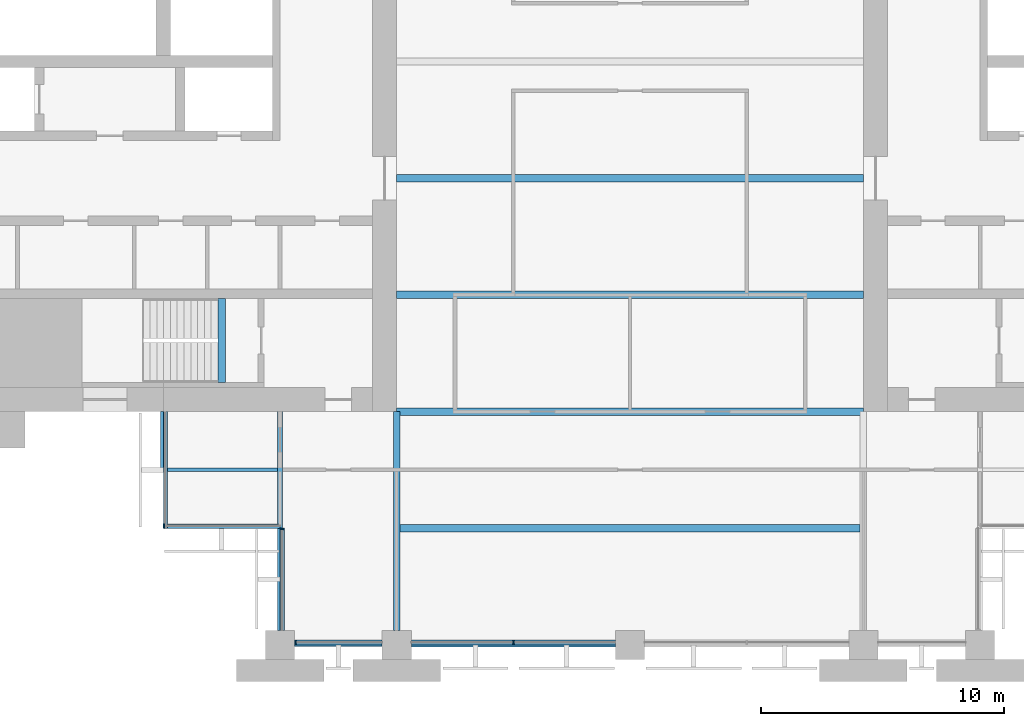
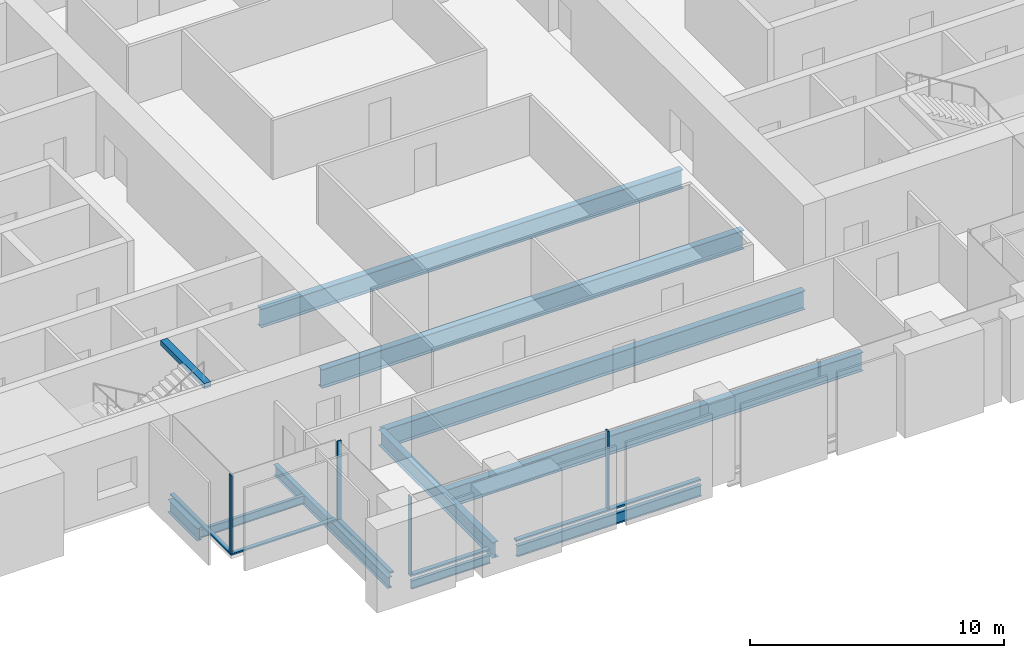
# One storey, part 2 of 14: 11 beams, 9 members, 4 elements without a shape of their own.
"""IFC4 building model written with IfcOpenShell, lengths in metres."""

from ifc_helpers import new_model, si_unit, direction, frame, origin, origin_2d, place, context, subcontext, project, spatial, rectangle, i_section, extrude, material, material_profile, profile_set, type_object, element, aggregate, save


model = new_model("IFC4")

# Units and contexts
model_context = context("Model", 3, precision=1e-05, world=origin(), true_north=direction((0.0, 1.0)))
body_context = subcontext(model_context, "Body", "Model", "MODEL_VIEW")
ifc_project = project(units=[si_unit("LENGTHUNIT", "METRE"), si_unit("AREAUNIT", "SQUARE_METRE"), si_unit("VOLUMEUNIT", "CUBIC_METRE"), si_unit("PLANEANGLEUNIT", "RADIAN"), si_unit("MASSUNIT", "GRAM", prefix="KILO")], contexts=[model_context])

# Site, building, storey
site_placement = place(None, origin())
site = spatial("IfcSite", under=ifc_project, at=site_placement, CompositionType="ELEMENT")
building_placement = place(site_placement, origin())
building = spatial("IfcBuilding", under=site, at=building_placement, Name="Baori Bourse Tower", CompositionType="ELEMENT")
storey_placement = place(building_placement, frame((0.0, 0.0, 124.10009765625)))
storey = spatial("IfcBuildingStorey", under=building, at=storey_placement, Name="L26", CompositionType="ELEMENT", Elevation=124.10009765625)

# Curtain wall, members
ifc_material_1 = material(Name="Pale anodised aluminium", Category="aluminium")
curtain_wall_type_1 = type_object("IfcCurtainWallType", Name="CW1 Curtain wall", PredefinedType="NOTDEFINED", material=ifc_material_1)
curtain_wall_1_placement = place(storey_placement, origin())
curtain_wall_1 = element("IfcCurtainWall", 1, at=curtain_wall_1_placement, inside=storey, type_object=curtain_wall_type_1, Name="Curtain wall CW1 L26 11", PredefinedType="NOTDEFINED")
ifc_material_2 = material(Name="Pale anodised aluminium", Category="aluminium")
ifc_material_profile_1 = material_profile(ifc_material_2, rectangle(XDim=0.199951171875, YDim=0.06005859375, at=origin_2d()), Name="Mullion 60x200")
ifc_profile_set_1 = profile_set([ifc_material_profile_1], Name="Pale anodised aluminium")
member_type_1 = type_object("IfcMemberType", Name="CW1 Curtain wall mullion", PredefinedType="MULLION", material=ifc_profile_set_1)
member_1_placement = place(storey_placement, frame((15.030029296875, 0.10009765625, 0.079833984375), z_axis=(0.0, 0.0, 1.0), x_axis=(0.0, 1.0, 0.0)))
member_1 = element("IfcMember", 2, at=member_1_placement, type_object=member_type_1, Name="Curtain wall CW1 mullion", PredefinedType="MULLION", context=body_context, shape_type="SweptSolid", body=[
    extrude(rectangle(XDim=0.199951171875, YDim=0.06005859375, at=origin_2d()), origin(), (0.0, 0.0, 1.0), 3.760009765625),
])
member_2_placement = place(storey_placement, frame((24.0, 0.10009765625, 0.079833984375), z_axis=(0.0, 0.0, 1.0), x_axis=(0.0, 1.0, 0.0)))
member_2 = element("IfcMember", 3, at=member_2_placement, type_object=member_type_1, Name="Curtain wall CW1 mullion", PredefinedType="MULLION", context=body_context, shape_type="SweptSolid", body=[
    extrude(rectangle(XDim=0.199951171875, YDim=0.06005859375, at=origin_2d()), origin(), (0.0, 0.0, 1.0), 3.760009765625),
])
ifc_material_3 = material(Name="Pale anodised aluminium", Category="aluminium")
ifc_material_profile_2 = material_profile(ifc_material_3, rectangle(XDim=0.199951171875, YDim=0.080078125, at=origin_2d()), Name="Transom 80x200")
ifc_profile_set_2 = profile_set([ifc_material_profile_2], Name="Pale anodised aluminium")
member_type_2 = type_object("IfcMemberType", Name="CW1 Curtain wall transom", PredefinedType="USERDEFINED", material=ifc_profile_set_2)
member_3_placement = place(storey_placement, frame((15.0, 0.10009765625, 0.039794921875), z_axis=(1.0, 0.0, 0.0), x_axis=(0.0, 1.0, 0.0)))
member_3 = element("IfcMember", 4, at=member_3_placement, type_object=member_type_2, Name="Curtain wall CW1 sill rail", ObjectType="TRANSOM", PredefinedType="USERDEFINED", context=body_context, shape_type="SweptSolid", body=[
    extrude(rectangle(XDim=0.199951171875, YDim=0.080078125, at=origin_2d()), origin(), (0.0, 0.0, 1.0), 3.60009765625),
])
member_4_placement = place(storey_placement, frame((19.800048828125, 0.10009765625, 0.039794921875), z_axis=(1.0, 0.0, 0.0), x_axis=(0.0, 1.0, 0.0)))
member_4 = element("IfcMember", 5, at=member_4_placement, type_object=member_type_2, Name="Curtain wall CW1 sill rail", ObjectType="TRANSOM", PredefinedType="USERDEFINED", context=body_context, shape_type="SweptSolid", body=[
    extrude(rectangle(XDim=0.199951171875, YDim=0.080078125, at=origin_2d()), origin(), (0.0, 0.0, 1.0), 8.39990234375),
])
aggregate(curtain_wall_1, [member_3, member_1, member_4, member_2])

# Curtain wall, member
ifc_material_4 = material(Name="Pale anodised aluminium", Category="aluminium")
curtain_wall_type_2 = type_object("IfcCurtainWallType", Name="CW2 Curtain wall", PredefinedType="NOTDEFINED", material=ifc_material_4)
curtain_wall_2_placement = place(storey_placement, origin())
curtain_wall_2 = element("IfcCurtainWall", 6, at=curtain_wall_2_placement, inside=storey, type_object=curtain_wall_type_2, Name="Curtain wall CW2 L26 9", PredefinedType="NOTDEFINED")
ifc_material_5 = material(Name="Pale anodised aluminium", Category="aluminium")
ifc_material_profile_3 = material_profile(ifc_material_5, rectangle(XDim=0.179931640625, YDim=0.054931640625, at=origin_2d()), Name="Mullion 55x180")
ifc_profile_set_3 = profile_set([ifc_material_profile_3], Name="Pale anodised aluminium")
member_type_3 = type_object("IfcMemberType", Name="CW2 Curtain wall mullion", PredefinedType="MULLION", material=ifc_profile_set_3)
member_5_placement = place(storey_placement, frame((9.62744140625, 4.889892578125, 0.06982421875), z_axis=(0.0, 0.0, 1.0), x_axis=(0.0, 1.0, 0.0)))
member_5 = element("IfcMember", 7, at=member_5_placement, type_object=member_type_3, Name="Curtain wall CW2 mullion", PredefinedType="MULLION", context=body_context, shape_type="SweptSolid", body=[
    extrude(rectangle(XDim=0.179931640625, YDim=0.054931640625, at=origin_2d()), origin(), (0.0, 0.0, 1.0), 3.77001953125),
])

curtain_wall_3_placement = place(storey_placement, origin())
curtain_wall_3 = element("IfcCurtainWall", 8, at=curtain_wall_3_placement, inside=storey, type_object=curtain_wall_type_2, Name="Curtain wall CW2 L26 10", PredefinedType="NOTDEFINED")
member_6_placement = place(storey_placement, frame((14.489990234375, 4.7724609375, 0.06982421875), z_axis=(0.0, 0.0, 1.0), x_axis=(1.0, 0.0, 0.0)))
member_6 = element("IfcMember", 9, at=member_6_placement, type_object=member_type_3, Name="Curtain wall CW2 mullion", PredefinedType="MULLION", context=body_context, shape_type="SweptSolid", body=[
    extrude(rectangle(XDim=0.179931640625, YDim=0.054931640625, at=origin_2d()), origin(), (0.0, 0.0, 1.0), 3.77001953125),
])

curtain_wall_4_placement = place(storey_placement, origin())
curtain_wall_4 = element("IfcCurtainWall", 10, at=curtain_wall_4_placement, inside=storey, type_object=curtain_wall_type_2, Name="Curtain wall CW2 L26 8", PredefinedType="NOTDEFINED")
ifc_material_6 = material(Name="Pale anodised aluminium", Category="aluminium")
ifc_material_profile_4 = material_profile(ifc_material_6, rectangle(XDim=0.179931640625, YDim=0.070068359375, at=origin_2d()), Name="Transom 70x180")
ifc_profile_set_4 = profile_set([ifc_material_profile_4], Name="Pale anodised aluminium")
member_type_4 = type_object("IfcMemberType", Name="CW2 Curtain wall transom", PredefinedType="USERDEFINED", material=ifc_profile_set_4)
member_7_placement = place(storey_placement, frame((9.68994140625, 9.60009765625, 0.034912109375), z_axis=(0.0, -1.0, 0.0), x_axis=(1.0, 0.0, 0.0)))
member_7 = element("IfcMember", 11, at=member_7_placement, type_object=member_type_4, Name="Curtain wall CW2 sill rail", ObjectType="TRANSOM", PredefinedType="USERDEFINED", context=body_context, shape_type="SweptSolid", body=[
    extrude(rectangle(XDim=0.179931640625, YDim=0.070068359375, at=origin_2d()), origin(), (0.0, 0.0, 1.0), 4.800048828125),
])
aggregate(curtain_wall_4, [member_7])

# Member
member_8_placement = place(storey_placement, frame((9.60009765625, 4.889892578125, 0.034912109375), z_axis=(1.0, 0.0, 0.0), x_axis=(0.0, 1.0, 0.0)))
member_8 = element("IfcMember", 12, at=member_8_placement, type_object=member_type_4, Name="Curtain wall CW2 sill rail", ObjectType="TRANSOM", PredefinedType="USERDEFINED", context=body_context, shape_type="SweptSolid", body=[
    extrude(rectangle(XDim=0.179931640625, YDim=0.070068359375, at=origin_2d()), origin(), (0.0, 0.0, 1.0), 4.7998046875),
])

aggregate(curtain_wall_2, [member_8, member_5])

member_9_placement = place(storey_placement, frame((14.489990234375, 4.800048828125, 0.034912109375), z_axis=(0.0, -1.0, 0.0), x_axis=(1.0, 0.0, 0.0)))
member_9 = element("IfcMember", 13, at=member_9_placement, type_object=member_type_4, Name="Curtain wall CW2 sill rail", ObjectType="TRANSOM", PredefinedType="USERDEFINED", context=body_context, shape_type="SweptSolid", body=[
    extrude(rectangle(XDim=0.179931640625, YDim=0.070068359375, at=origin_2d()), origin(), (0.0, 0.0, 1.0), 4.199951171875),
])

aggregate(curtain_wall_3, [member_9, member_6])

# Beams
ifc_material_7 = material(Name="Steel A992 Gr 50", Category="steel")
ifc_material_profile_5 = material_profile(ifc_material_7, i_section(OverallWidth=0.227783203125, OverallDepth=0.60205078125, WebThickness=0.010498046875, FlangeThickness=0.014892578125, at=origin_2d()), Name="W24x68")
ifc_profile_set_5 = profile_set([ifc_material_profile_5], Name="Steel A992 Gr 50")
beam_type_1 = type_object("IfcBeamType", Name="Core bracket W24x68", PredefinedType="BEAM", material=ifc_profile_set_5)
beam_1_placement = place(storey_placement, frame((9.60009765625, 7.270263671875, -0.461181640625), z_axis=(0.0, 1.0, 0.0), x_axis=(-1.0, 0.0, 0.0)))
element("IfcBeam", 14, at=beam_1_placement, inside=storey, type_object=beam_type_1, Name="Core bracket L26", PredefinedType="BEAM", context=body_context, shape_type="SweptSolid", body=[
    extrude(i_section(OverallWidth=0.227783203125, OverallDepth=0.60205078125, WebThickness=0.010498046875, FlangeThickness=0.014892578125, at=origin_2d()), origin(), (0.0, 0.0, 1.0), 2.329833984375),
])
ifc_material_8 = material(Name="Steel A992 Gr 50", Category="steel")
ifc_material_profile_6 = material_profile(ifc_material_8, i_section(OverallWidth=0.140380859375, OverallDepth=0.40380859375, WebThickness=0.007080078125, FlangeThickness=0.01123046875, at=origin_2d()), Name="W16x31")
ifc_profile_set_6 = profile_set([ifc_material_profile_6], Name="Steel A992 Gr 50")
beam_type_2 = type_object("IfcBeamType", Name="Edge beam W16x31", PredefinedType="BEAM", material=ifc_profile_set_6)
beam_2_placement = place(storey_placement, frame((15.0, 0.0, -0.362060546875), z_axis=(1.0, 0.0, 0.0), x_axis=(0.0, 1.0, 0.0)))
element("IfcBeam", 15, at=beam_2_placement, inside=storey, type_object=beam_type_2, Name="Edge beam L26", PredefinedType="BEAM", context=body_context, shape_type="SweptSolid", body=[
    extrude(i_section(OverallWidth=0.140380859375, OverallDepth=0.40380859375, WebThickness=0.007080078125, FlangeThickness=0.01123046875, at=origin_2d()), origin(), (0.0, 0.0, 1.0), 3.60009765625),
])
ifc_material_9 = material(Name="Steel A992 Gr 50", Category="steel")
ifc_material_profile_7 = material_profile(ifc_material_9, i_section(OverallWidth=0.1650390625, OverallDepth=0.52587890625, WebThickness=0.0087890625, FlangeThickness=0.011474609375, at=origin_2d()), Name="W21x44")
ifc_profile_set_7 = profile_set([ifc_material_profile_7], Name="Steel A992 Gr 50")
beam_type_3 = type_object("IfcBeamType", Name="Edge beam W21x44", PredefinedType="BEAM", material=ifc_profile_set_7)
beam_3_placement = place(storey_placement, frame((19.800048828125, 0.0, -0.423095703125), z_axis=(1.0, 0.0, 0.0), x_axis=(0.0, 1.0, 0.0)))
element("IfcBeam", 16, at=beam_3_placement, inside=storey, type_object=beam_type_3, Name="Edge beam L26", PredefinedType="BEAM", context=body_context, shape_type="SweptSolid", body=[
    extrude(i_section(OverallWidth=0.1650390625, OverallDepth=0.52587890625, WebThickness=0.0087890625, FlangeThickness=0.011474609375, at=origin_2d()), origin(), (0.0, 0.0, 1.0), 8.39990234375),
])
ifc_material_10 = material(Name="Steel A992 Gr 50", Category="steel")
ifc_material_profile_8 = material_profile(ifc_material_10, i_section(OverallWidth=0.209228515625, OverallDepth=0.533447265625, WebThickness=0.01025390625, FlangeThickness=0.015625, at=origin_2d()), Name="W21x62")
ifc_profile_set_8 = profile_set([ifc_material_profile_8], Name="Steel A992 Gr 50")
beam_type_4 = type_object("IfcBeamType", Name="Floor beam W21x62", PredefinedType="BEAM", material=ifc_profile_set_8)
beam_4_placement = place(storey_placement, frame((14.39990234375, 0.60009765625, -0.4267578125), z_axis=(0.0, 1.0, 0.0), x_axis=(-1.0, 0.0, 0.0)))
element("IfcBeam", 17, at=beam_4_placement, inside=storey, type_object=beam_type_4, Name="Floor beam L26", PredefinedType="BEAM", context=body_context, shape_type="SweptSolid", body=[
    extrude(i_section(OverallWidth=0.209228515625, OverallDepth=0.533447265625, WebThickness=0.01025390625, FlangeThickness=0.015625, at=origin_2d()), origin(), (0.0, 0.0, 1.0), 9.0),
])
ifc_material_11 = material(Name="Steel A992 Gr 50", Category="steel")
ifc_material_profile_9 = material_profile(ifc_material_11, i_section(OverallWidth=0.3046875, OverallDepth=0.904296875, WebThickness=0.01513671875, FlangeThickness=0.02001953125, at=origin_2d()), Name="W36x135")
ifc_profile_set_9 = profile_set([ifc_material_profile_9], Name="Steel A992 Gr 50")
beam_type_5 = type_object("IfcBeamType", Name="Floor beam W36x135", PredefinedType="BEAM", material=ifc_profile_set_9)
beam_5_placement = place(storey_placement, frame((19.33203125, 4.800048828125, -0.6123046875), z_axis=(1.0, 0.0, 0.0), x_axis=(0.0, 1.0, 0.0)))
element("IfcBeam", 18, at=beam_5_placement, inside=storey, type_object=beam_type_5, Name="Floor beam L26", PredefinedType="BEAM", context=body_context, shape_type="SweptSolid", body=[
    extrude(i_section(OverallWidth=0.3046875, OverallDepth=0.904296875, WebThickness=0.01513671875, FlangeThickness=0.02001953125, at=origin_2d()), origin(), (0.0, 0.0, 1.0), 18.935791015625),
])
for number, where, z_axis, x_axis, name in (
    (19, (19.199951171875, 9.60009765625, -0.6123046875), (1.0, 0.0, 0.0), (0.0, 1.0, 0.0), "Floor beam L26"),
    (20, (19.199951171875, 14.39990234375, -0.6123046875), (1.0, 0.0, 0.0), (0.0, 1.0, 0.0), "Floor beam L26"),
    (21, (19.199951171875, 19.199951171875, -0.6123046875), (1.0, 0.0, 0.0), (0.0, 1.0, 0.0), "Floor beam L26"),
):
    element("IfcBeam", number, at=place(storey_placement, frame(where, z_axis=z_axis, x_axis=x_axis)), inside=storey, type_object=beam_type_5, Name=name, PredefinedType="BEAM", context=body_context, shape_type="SweptSolid", body=[
        extrude(i_section(OverallWidth=0.3046875, OverallDepth=0.904296875, WebThickness=0.01513671875, FlangeThickness=0.02001953125, at=origin_2d()), origin(), (0.0, 0.0, 1.0), 19.199951171875),
    ])
ifc_material_12 = material(Name="Steel A992 Gr 50", Category="steel")
ifc_material_profile_10 = material_profile(ifc_material_12, i_section(OverallWidth=0.26416015625, OverallDepth=0.749267578125, WebThickness=0.011962890625, FlangeThickness=0.015380859375, at=origin_2d()), Name="W30x90")
ifc_profile_set_10 = profile_set([ifc_material_profile_10], Name="Steel A992 Gr 50")
beam_type_6 = type_object("IfcBeamType", Name="Girder W30x90", PredefinedType="BEAM", material=ifc_profile_set_10)
beam_6_placement = place(storey_placement, frame((19.199951171875, 0.60009765625, -0.53466796875), z_axis=(0.0, 1.0, 0.0), x_axis=(-1.0, 0.0, 0.0)))
element("IfcBeam", 22, at=beam_6_placement, inside=storey, type_object=beam_type_6, Name="Girder L26", PredefinedType="BEAM", context=body_context, shape_type="SweptSolid", body=[
    extrude(i_section(OverallWidth=0.26416015625, OverallDepth=0.749267578125, WebThickness=0.011962890625, FlangeThickness=0.015380859375, at=origin_2d()), origin(), (0.0, 0.0, 1.0), 9.0),
])
ifc_material_13 = material(Name="Concrete f'c 50 MPa", Category="concrete")
ifc_material_profile_11 = material_profile(ifc_material_13, rectangle(XDim=0.300048828125, YDim=0.25, at=origin_2d()), Name="RC 300x250")
ifc_profile_set_11 = profile_set([ifc_material_profile_11], Name="Concrete f'c 50 MPa")
beam_type_7 = type_object("IfcBeamType", Name="Stair nib beam RC 300x250", PredefinedType="BEAM", material=ifc_profile_set_11)
beam_7_placement = place(storey_placement, frame((12.0, 10.800048828125, 3.71484375), z_axis=(0.0, 1.0, 0.0), x_axis=(-1.0, 0.0, 0.0)))
element("IfcBeam", 23, at=beam_7_placement, inside=storey, type_object=beam_type_7, Name="Stair WA nib beam L27", PredefinedType="BEAM", context=body_context, shape_type="SweptSolid", body=[
    extrude(rectangle(XDim=0.300048828125, YDim=0.25, at=origin_2d()), origin(), (0.0, 0.0, 1.0), 3.449951171875),
])
ifc_material_14 = material(Name="Steel A992 Gr 50", Category="steel")
ifc_material_profile_12 = material_profile(ifc_material_14, i_section(OverallWidth=0.140380859375, OverallDepth=0.40380859375, WebThickness=0.007080078125, FlangeThickness=0.01123046875, at=origin_2d()), Name="W16x31")
ifc_profile_set_12 = profile_set([ifc_material_profile_12], Name="Steel A992 Gr 50")
beam_type_8 = type_object("IfcBeamType", Name="Trimmer beam W16x31", PredefinedType="BEAM", material=ifc_profile_set_12)
beam_8_placement = place(storey_placement, frame((9.60009765625, 7.199951171875, -0.362060546875), z_axis=(1.0, 0.0, 0.0), x_axis=(0.0, 1.0, 0.0)))
element("IfcBeam", 24, at=beam_8_placement, inside=storey, type_object=beam_type_8, Name="Trimmer beam L26", PredefinedType="BEAM", context=body_context, shape_type="SweptSolid", body=[
    extrude(i_section(OverallWidth=0.140380859375, OverallDepth=0.40380859375, WebThickness=0.007080078125, FlangeThickness=0.01123046875, at=origin_2d()), origin(), (0.0, 0.0, 1.0), 4.6953125),
])

save(model, "model.ifc")
